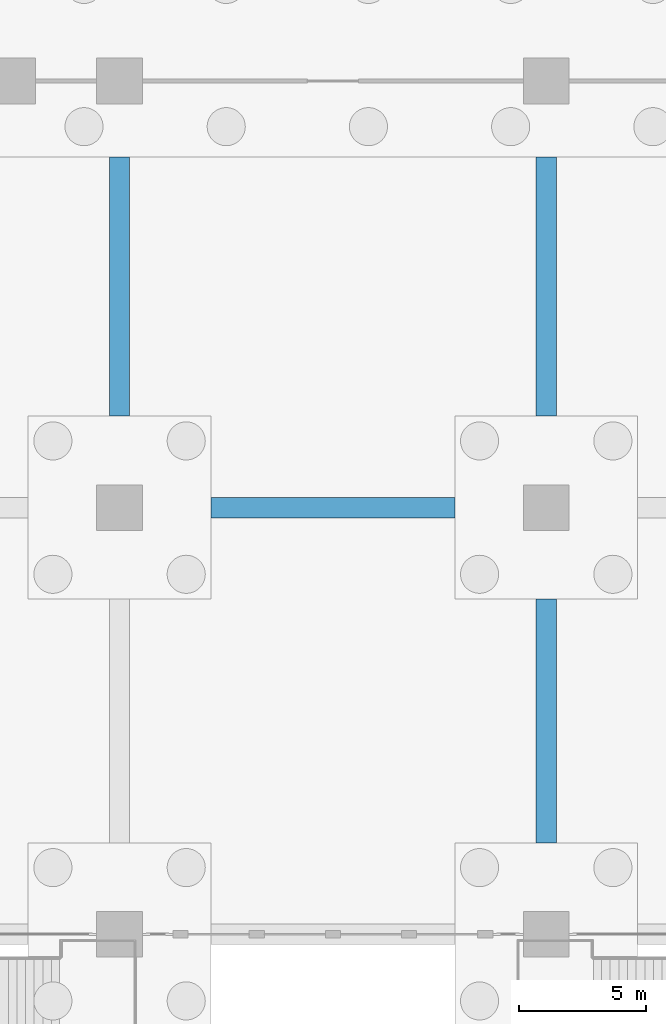
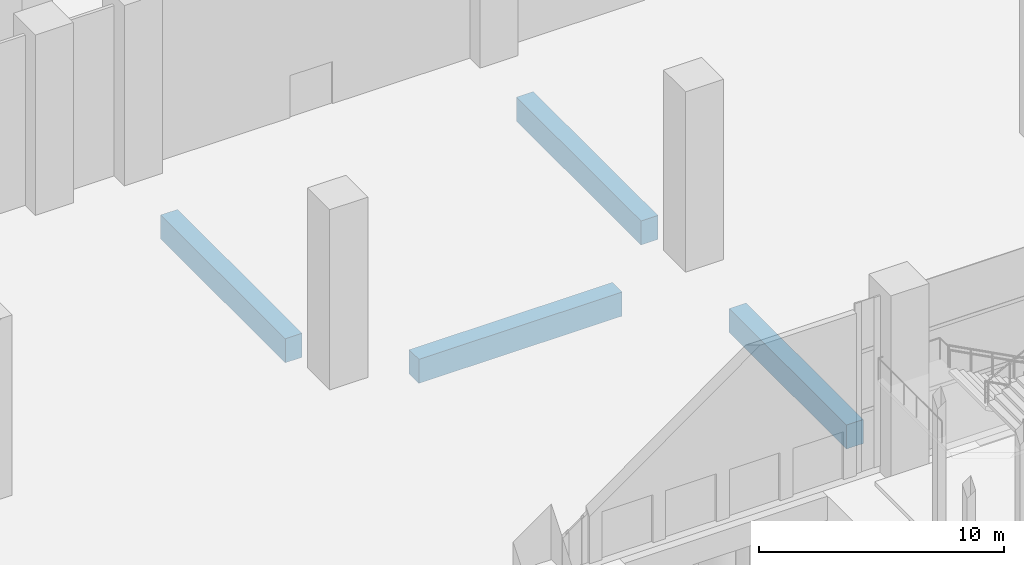
# One storey, part 18 of 72: 4 beams.
"""IFC4 building model written with IfcOpenShell, lengths in metres."""

import ifcopenshell
import ifcopenshell.guid

model = None  # the IFC model being written
_history = None  # IfcOwnerHistory: only IFC2X3 demands one
_inside = {}  # id of a spatial element -> (the spatial element, [elements in it])
_under = {}  # id of a project, library or spatial element -> (it, [spatial elements below it])
_declared = {}  # id of a project -> (the project, [libraries it declares])
_typed = {}  # id of a type object -> (the type object, [elements of that type])
_made_of = {}  # id of a material, layer set ... -> (it, [elements and type objects made of it])


def new_model(schema):
    """Start an empty IFC model of exactly this schema.

    Asked for "IFC4X3", IfcOpenShell would pick the latest addendum, in which some entities
    have other attributes; the version numbers below select the first issue.
    IFC2X3 requires an IfcOwnerHistory on every rooted entity: one is made here for all.
    """
    global model, _history
    if schema == "IFC4X3":
        model = ifcopenshell.file(schema_version=(4, 3, 0, 0))
    else:
        model = ifcopenshell.file(schema=schema)
    _inside.clear()
    _under.clear()
    _declared.clear()
    _typed.clear()
    _made_of.clear()
    _history = None
    if model.schema == "IFC2X3":
        org = make("IfcOrganization", Name="unknown")
        user = make(
            "IfcPersonAndOrganization",
            ThePerson=make("IfcPerson", FamilyName="unknown"),
            TheOrganization=org,
        )
        app = make(
            "IfcApplication",
            ApplicationDeveloper=org,
            Version="unknown",
            ApplicationFullName="unknown",
            ApplicationIdentifier="unknown",
        )
        _history = make(
            "IfcOwnerHistory",
            OwningUser=user,
            OwningApplication=app,
            ChangeAction="ADDED",
            CreationDate=0,
        )
    return model


def make(cls, **values):
    """One entity of the class cls with the attributes given. An attribute that is None is left unset."""
    return model.create_entity(
        cls, **{name: value for name, value in values.items() if value is not None}
    )


def rooted(cls, **values):
    """An entity with a GlobalId (a new one), such as an element, a storey or a relation."""
    return make(cls, GlobalId=ifcopenshell.guid.new(), OwnerHistory=_history, **values)


def si_unit(unit_type, name, prefix=None):
    """IfcSIUnit, for example si_unit("LENGTHUNIT", "METRE", prefix="MILLI")."""
    return make("IfcSIUnit", UnitType=unit_type, Prefix=prefix, Name=name)


def assignment(units):
    """IfcUnitAssignment: the units of a project."""
    return None if units is None else make("IfcUnitAssignment", Units=units)


def point(xyz):
    """IfcCartesianPoint."""
    return None if xyz is None else make("IfcCartesianPoint", Coordinates=xyz)


def direction(xyz):
    """IfcDirection."""
    return None if xyz is None else make("IfcDirection", DirectionRatios=xyz)


def frame(location, z_axis=None, x_axis=None):
    """IfcAxis2Placement3D, a coordinate frame: its origin and axes. An axis left out is left unset."""
    return make(
        "IfcAxis2Placement3D",
        Location=point(location),
        Axis=direction(z_axis),
        RefDirection=direction(x_axis),
    )


def frame_2d(location, x_axis=None):
    """IfcAxis2Placement2D, a coordinate frame in the plane: its origin and x axis."""
    return make(
        "IfcAxis2Placement2D", Location=point(location), RefDirection=direction(x_axis)
    )


def origin():
    """The frame at (0, 0, 0) with its axes left unset."""
    return frame((0.0, 0.0, 0.0))


def origin_2d():
    """The frame at (0, 0) in the plane with its x axis left unset."""
    return frame_2d((0.0, 0.0))


def place(relative_to, where):
    """IfcLocalPlacement: puts the frame where relative to a parent placement (None: the world)."""
    return make(
        "IfcLocalPlacement", PlacementRelTo=relative_to, RelativePlacement=where
    )


def context(
    kind, dimensions, precision=None, world=None, true_north=None, identifier=None
):
    """IfcGeometricRepresentationContext, for example the 3D "Model" context."""
    return make(
        "IfcGeometricRepresentationContext",
        ContextIdentifier=identifier,
        ContextType=kind,
        CoordinateSpaceDimension=dimensions,
        Precision=precision,
        WorldCoordinateSystem=world,
        TrueNorth=true_north,
    )


def subcontext(parent, identifier, kind, view, scale=None):
    """IfcGeometricRepresentationSubContext, for example "Body" below "Model"."""
    return make(
        "IfcGeometricRepresentationSubContext",
        ContextIdentifier=identifier,
        ContextType=kind,
        ParentContext=parent,
        TargetScale=scale,
        TargetView=view,
    )


def project(units=None, contexts=None):
    """IfcProject with its units and contexts."""
    return rooted(
        "IfcProject",
        Name="project",
        RepresentationContexts=contexts,
        UnitsInContext=assignment(units),
    )


def spatial(cls, under=None, at=None, **own):
    """A site, building, storey or space (cls), placed at a placement, below another one or the project."""
    s = rooted(cls, ObjectPlacement=at, **own)
    if under is not None:
        _under.setdefault(under.id(), (under, []))[1].append(s)
    return s


def profile(cls, at=None, kind="AREA", **sizes):
    """A parametric profile (cls). Its sizes go by their IFC names, for example OverallWidth=200.0."""
    return make(cls, ProfileType=kind, Position=at, **sizes)


def rectangle(**sizes):
    """IfcRectangleProfileDef."""
    return profile("IfcRectangleProfileDef", **sizes)


def extrude(swept, where, along, depth):
    """IfcExtrudedAreaSolid: the profile swept, set in the frame where, extruded along a direction by depth."""
    return make(
        "IfcExtrudedAreaSolid",
        SweptArea=swept,
        Position=where,
        ExtrudedDirection=direction(along),
        Depth=depth,
    )


def shape(context_of_items, identifier, shape_type, items):
    """IfcShapeRepresentation: the items that make up one representation, for example the "Body"."""
    return make(
        "IfcShapeRepresentation",
        ContextOfItems=context_of_items,
        RepresentationIdentifier=identifier,
        RepresentationType=shape_type,
        Items=items,
    )


def material(Name=None, Category=None):
    """IfcMaterial."""
    return make("IfcMaterial", Name=Name, Category=Category)


def material_profile(
    of_material, cross_section, Name=None, Category=None, Priority=None
):
    """IfcMaterialProfile: a cross section and its material."""
    return make(
        "IfcMaterialProfile",
        Name=Name,
        Material=of_material,
        Profile=cross_section,
        Priority=Priority,
        Category=Category,
    )


def profile_set(profiles, Name=None, composite=None):
    """IfcMaterialProfileSet."""
    return make(
        "IfcMaterialProfileSet",
        Name=Name,
        MaterialProfiles=profiles,
        CompositeProfile=composite,
    )


def made_of(thing, what):
    """Note that an element or type object is made of a material, layer set ...; save() writes the relation."""
    if what is not None:
        _made_of.setdefault(what.id(), (what, []))[1].append(thing)
    return thing


def type_object(cls, material=None, **own):
    """A type object (cls), such as IfcWallType, which elements share."""
    return made_of(rooted(cls, **own), material)


def element(
    cls,
    number,
    at=None,
    inside=None,
    cuts=None,
    type_object=None,
    material=None,
    context=None,
    identifier="Body",
    shape_type=None,
    held_by="IfcProductDefinitionShape",
    body=None,
    shapes=None,
    **own,
):
    """One element of the class cls, such as IfcWall. Its Tag is "e" and its number.

    at: its placement. inside: the storey or other place that contains it. cuts: it is an
    opening in that element (IfcRelVoidsElement). A single representation is given by context,
    identifier, shape_type and body (its items); several are given by shapes. held_by: the class
    of the entity that holds the representations. save() writes the other relations.
    """
    e = rooted(cls, Tag="e%d" % number, ObjectPlacement=at, **own)
    if body is not None:
        shapes = [shape(context, identifier, shape_type, body)]
    if shapes is not None:
        e.Representation = make(held_by, Representations=shapes)
    if inside is not None:
        _inside.setdefault(inside.id(), (inside, []))[1].append(e)
    if cuts is not None:
        rooted(
            "IfcRelVoidsElement", RelatingBuildingElement=cuts, RelatedOpeningElement=e
        )
    if type_object is not None:
        _typed.setdefault(type_object.id(), (type_object, []))[1].append(e)
    return made_of(e, material)


def aggregate(whole, parts):
    """IfcRelAggregates: a whole, such as a stair, and the parts it consists of."""
    return rooted("IfcRelAggregates", RelatingObject=whole, RelatedObjects=parts)


def save(model, path):
    """Write the relations noted so far, then the file.

    IfcRelAggregates (storeys below a building ...), IfcRelContainedInSpatialStructure (elements
    in a storey), IfcRelDefinesByType, IfcRelAssociatesMaterial and IfcRelDeclares: one each for
    every whole, place, type object, material and project.
    """
    for whole, parts in _under.values():
        aggregate(whole, parts)
    for where, things in _inside.values():
        rooted(
            "IfcRelContainedInSpatialStructure",
            RelatedElements=things,
            RelatingStructure=where,
        )
    for kind, things in _typed.values():
        rooted("IfcRelDefinesByType", RelatedObjects=things, RelatingType=kind)
    for what, things in _made_of.values():
        rooted("IfcRelAssociatesMaterial", RelatedObjects=things, RelatingMaterial=what)
    for by, libraries in _declared.values():
        rooted("IfcRelDeclares", RelatingContext=by, RelatedDefinitions=libraries)
    model.write(path)


model = new_model("IFC4")

# Units and contexts
model_context = context("Model", 3, precision=1e-05, world=origin(), true_north=direction((0.0, 1.0)))
body_context = subcontext(model_context, "Body", "Model", "MODEL_VIEW")
ifc_project = project(units=[si_unit("LENGTHUNIT", "METRE"), si_unit("AREAUNIT", "SQUARE_METRE"), si_unit("VOLUMEUNIT", "CUBIC_METRE"), si_unit("PLANEANGLEUNIT", "RADIAN"), si_unit("MASSUNIT", "GRAM", prefix="KILO")], contexts=[model_context])

# Site, building, storey
site_placement = place(None, origin())
site = spatial("IfcSite", under=ifc_project, at=site_placement, CompositionType="ELEMENT")
building_placement = place(site_placement, origin())
building = spatial("IfcBuilding", under=site, at=building_placement, Name="Candeia Pilgrim Tower and Theatre", CompositionType="ELEMENT")
storey_placement = place(building_placement, origin())
storey = spatial("IfcBuildingStorey", under=building, at=storey_placement, Name="L00", CompositionType="ELEMENT", Elevation=0.0)

# Beams
ifc_material = material(Name="Concrete C40/50", Category="concrete")
ifc_material_profile = material_profile(ifc_material, rectangle(XDim=0.800048828125, YDim=1.199951171875, at=origin_2d()))
ifc_profile_set = profile_set([ifc_material_profile], Name="Concrete C40/50")
beam_type = type_object("IfcBeamType", Name="RC 800x1200 C40/50", PredefinedType="BEAM", material=ifc_profile_set)
for number, where, z_axis, x_axis, name in (
    (1, (96.0, 81.199951171875, -0.949951171875), (1.0, 0.0, 0.0), (0.0, 1.0, 0.0), "Ground beam 002"),
    (2, (109.199951171875, 77.60009765625, -0.949951171875), (0.0, -1.0, 0.0), (1.0, 0.0, 0.0), "Ground beam 006"),
):
    element("IfcBeam", number, at=place(storey_placement, frame(where, z_axis=z_axis, x_axis=x_axis)), inside=storey, type_object=beam_type, Name=name, PredefinedType="BEAM", context=body_context, shape_type="SweptSolid", body=[
        extrude(rectangle(XDim=0.800048828125, YDim=1.199951171875, at=origin_2d()), origin(), (0.0, 0.0, 1.0), 9.60009765625),
    ])
for number, where, z_axis, x_axis, name in (
    (3, (92.39990234375, 84.800048828125, -0.949951171875), (0.0, 1.0, 0.0), (-1.0, 0.0, 0.0), "Ground beam 044"),
    (4, (109.199951171875, 84.800048828125, -0.949951171875), (0.0, 1.0, 0.0), (-1.0, 0.0, 0.0), "Ground beam 045"),
):
    element("IfcBeam", number, at=place(storey_placement, frame(where, z_axis=z_axis, x_axis=x_axis)), inside=storey, type_object=beam_type, Name=name, PredefinedType="BEAM", context=body_context, shape_type="SweptSolid", body=[
        extrude(rectangle(XDim=0.800048828125, YDim=1.199951171875, at=origin_2d()), origin(), (0.0, 0.0, 1.0), 10.199951171875),
    ])

save(model, "model.ifc")
